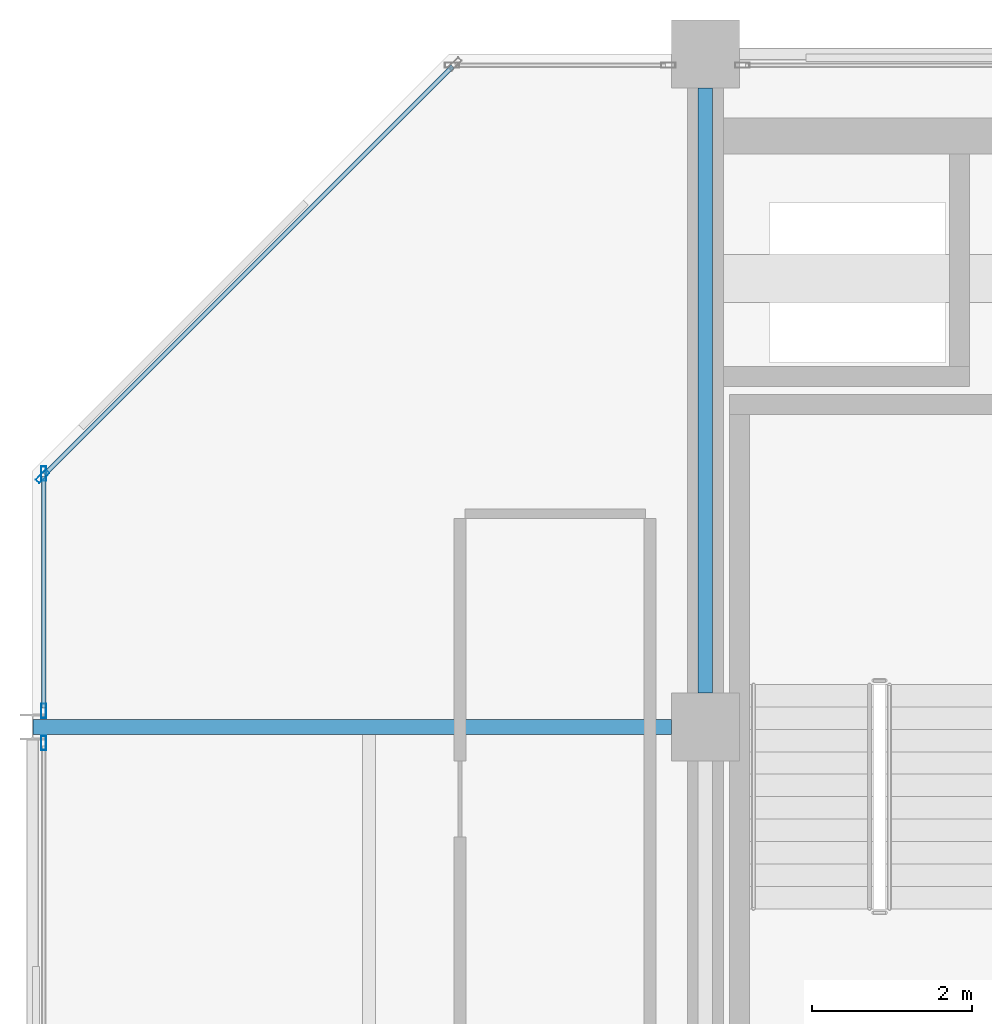
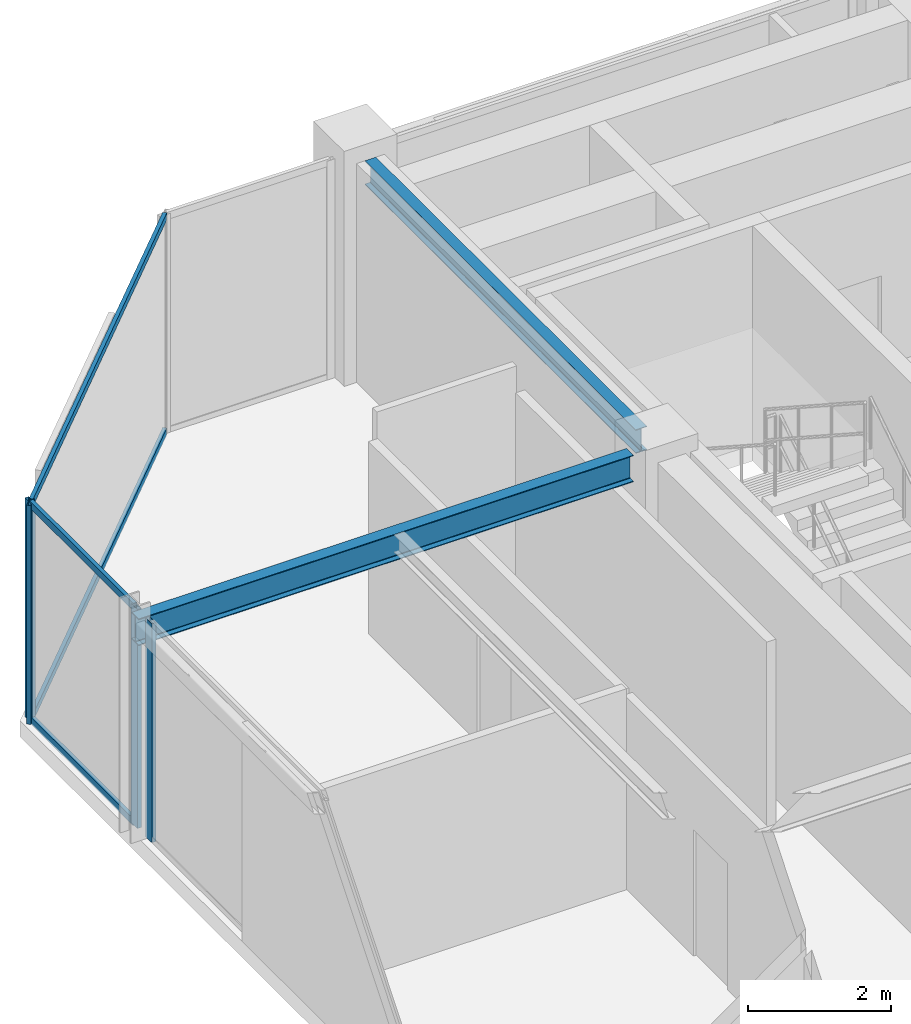
# One storey, part 16 of 24: 8 members, 2 beams, 3 elements without a shape of their own.
"""IFC4 building model written with IfcOpenShell, lengths in metres."""

import ifcopenshell
import ifcopenshell.guid

model = None  # the IFC model being written
_history = None  # IfcOwnerHistory: only IFC2X3 demands one
_inside = {}  # id of a spatial element -> (the spatial element, [elements in it])
_under = {}  # id of a project, library or spatial element -> (it, [spatial elements below it])
_declared = {}  # id of a project -> (the project, [libraries it declares])
_typed = {}  # id of a type object -> (the type object, [elements of that type])
_made_of = {}  # id of a material, layer set ... -> (it, [elements and type objects made of it])


def new_model(schema):
    """Start an empty IFC model of exactly this schema.

    Asked for "IFC4X3", IfcOpenShell would pick the latest addendum, in which some entities
    have other attributes; the version numbers below select the first issue.
    IFC2X3 requires an IfcOwnerHistory on every rooted entity: one is made here for all.
    """
    global model, _history
    if schema == "IFC4X3":
        model = ifcopenshell.file(schema_version=(4, 3, 0, 0))
    else:
        model = ifcopenshell.file(schema=schema)
    _inside.clear()
    _under.clear()
    _declared.clear()
    _typed.clear()
    _made_of.clear()
    _history = None
    if model.schema == "IFC2X3":
        org = make("IfcOrganization", Name="unknown")
        user = make(
            "IfcPersonAndOrganization",
            ThePerson=make("IfcPerson", FamilyName="unknown"),
            TheOrganization=org,
        )
        app = make(
            "IfcApplication",
            ApplicationDeveloper=org,
            Version="unknown",
            ApplicationFullName="unknown",
            ApplicationIdentifier="unknown",
        )
        _history = make(
            "IfcOwnerHistory",
            OwningUser=user,
            OwningApplication=app,
            ChangeAction="ADDED",
            CreationDate=0,
        )
    return model


def make(cls, **values):
    """One entity of the class cls with the attributes given. An attribute that is None is left unset."""
    return model.create_entity(
        cls, **{name: value for name, value in values.items() if value is not None}
    )


def rooted(cls, **values):
    """An entity with a GlobalId (a new one), such as an element, a storey or a relation."""
    return make(cls, GlobalId=ifcopenshell.guid.new(), OwnerHistory=_history, **values)


def si_unit(unit_type, name, prefix=None):
    """IfcSIUnit, for example si_unit("LENGTHUNIT", "METRE", prefix="MILLI")."""
    return make("IfcSIUnit", UnitType=unit_type, Prefix=prefix, Name=name)


def assignment(units):
    """IfcUnitAssignment: the units of a project."""
    return None if units is None else make("IfcUnitAssignment", Units=units)


def point(xyz):
    """IfcCartesianPoint."""
    return None if xyz is None else make("IfcCartesianPoint", Coordinates=xyz)


def direction(xyz):
    """IfcDirection."""
    return None if xyz is None else make("IfcDirection", DirectionRatios=xyz)


def frame(location, z_axis=None, x_axis=None):
    """IfcAxis2Placement3D, a coordinate frame: its origin and axes. An axis left out is left unset."""
    return make(
        "IfcAxis2Placement3D",
        Location=point(location),
        Axis=direction(z_axis),
        RefDirection=direction(x_axis),
    )


def frame_2d(location, x_axis=None):
    """IfcAxis2Placement2D, a coordinate frame in the plane: its origin and x axis."""
    return make(
        "IfcAxis2Placement2D", Location=point(location), RefDirection=direction(x_axis)
    )


def origin():
    """The frame at (0, 0, 0) with its axes left unset."""
    return frame((0.0, 0.0, 0.0))


def origin_2d():
    """The frame at (0, 0) in the plane with its x axis left unset."""
    return frame_2d((0.0, 0.0))


def place(relative_to, where):
    """IfcLocalPlacement: puts the frame where relative to a parent placement (None: the world)."""
    return make(
        "IfcLocalPlacement", PlacementRelTo=relative_to, RelativePlacement=where
    )


def context(
    kind, dimensions, precision=None, world=None, true_north=None, identifier=None
):
    """IfcGeometricRepresentationContext, for example the 3D "Model" context."""
    return make(
        "IfcGeometricRepresentationContext",
        ContextIdentifier=identifier,
        ContextType=kind,
        CoordinateSpaceDimension=dimensions,
        Precision=precision,
        WorldCoordinateSystem=world,
        TrueNorth=true_north,
    )


def subcontext(parent, identifier, kind, view, scale=None):
    """IfcGeometricRepresentationSubContext, for example "Body" below "Model"."""
    return make(
        "IfcGeometricRepresentationSubContext",
        ContextIdentifier=identifier,
        ContextType=kind,
        ParentContext=parent,
        TargetScale=scale,
        TargetView=view,
    )


def project(units=None, contexts=None):
    """IfcProject with its units and contexts."""
    return rooted(
        "IfcProject",
        Name="project",
        RepresentationContexts=contexts,
        UnitsInContext=assignment(units),
    )


def spatial(cls, under=None, at=None, **own):
    """A site, building, storey or space (cls), placed at a placement, below another one or the project."""
    s = rooted(cls, ObjectPlacement=at, **own)
    if under is not None:
        _under.setdefault(under.id(), (under, []))[1].append(s)
    return s


def profile(cls, at=None, kind="AREA", **sizes):
    """A parametric profile (cls). Its sizes go by their IFC names, for example OverallWidth=200.0."""
    return make(cls, ProfileType=kind, Position=at, **sizes)


def hollow_rectangle(**sizes):
    """IfcRectangleHollowProfileDef."""
    return profile("IfcRectangleHollowProfileDef", **sizes)


def i_section(**sizes):
    """IfcIShapeProfileDef."""
    return profile("IfcIShapeProfileDef", **sizes)


def extrude(swept, where, along, depth):
    """IfcExtrudedAreaSolid: the profile swept, set in the frame where, extruded along a direction by depth."""
    return make(
        "IfcExtrudedAreaSolid",
        SweptArea=swept,
        Position=where,
        ExtrudedDirection=direction(along),
        Depth=depth,
    )


def shape(context_of_items, identifier, shape_type, items):
    """IfcShapeRepresentation: the items that make up one representation, for example the "Body"."""
    return make(
        "IfcShapeRepresentation",
        ContextOfItems=context_of_items,
        RepresentationIdentifier=identifier,
        RepresentationType=shape_type,
        Items=items,
    )


def material(Name=None, Category=None):
    """IfcMaterial."""
    return make("IfcMaterial", Name=Name, Category=Category)


def layer(
    of_material, thickness, ventilated=None, Name=None, Category=None, Priority=None
):
    """IfcMaterialLayer: one layer of a wall or slab, of a material (None: an air gap)."""
    return make(
        "IfcMaterialLayer",
        Material=of_material,
        LayerThickness=thickness,
        IsVentilated=ventilated,
        Name=Name,
        Category=Category,
        Priority=Priority,
    )


def layer_set(layers, Name=None):
    """IfcMaterialLayerSet."""
    return make("IfcMaterialLayerSet", MaterialLayers=layers, LayerSetName=Name)


def material_profile(
    of_material, cross_section, Name=None, Category=None, Priority=None
):
    """IfcMaterialProfile: a cross section and its material."""
    return make(
        "IfcMaterialProfile",
        Name=Name,
        Material=of_material,
        Profile=cross_section,
        Priority=Priority,
        Category=Category,
    )


def profile_set(profiles, Name=None, composite=None):
    """IfcMaterialProfileSet."""
    return make(
        "IfcMaterialProfileSet",
        Name=Name,
        MaterialProfiles=profiles,
        CompositeProfile=composite,
    )


def made_of(thing, what):
    """Note that an element or type object is made of a material, layer set ...; save() writes the relation."""
    if what is not None:
        _made_of.setdefault(what.id(), (what, []))[1].append(thing)
    return thing


def type_object(cls, material=None, **own):
    """A type object (cls), such as IfcWallType, which elements share."""
    return made_of(rooted(cls, **own), material)


def element(
    cls,
    number,
    at=None,
    inside=None,
    cuts=None,
    type_object=None,
    material=None,
    context=None,
    identifier="Body",
    shape_type=None,
    held_by="IfcProductDefinitionShape",
    body=None,
    shapes=None,
    **own,
):
    """One element of the class cls, such as IfcWall. Its Tag is "e" and its number.

    at: its placement. inside: the storey or other place that contains it. cuts: it is an
    opening in that element (IfcRelVoidsElement). A single representation is given by context,
    identifier, shape_type and body (its items); several are given by shapes. held_by: the class
    of the entity that holds the representations. save() writes the other relations.
    """
    e = rooted(cls, Tag="e%d" % number, ObjectPlacement=at, **own)
    if body is not None:
        shapes = [shape(context, identifier, shape_type, body)]
    if shapes is not None:
        e.Representation = make(held_by, Representations=shapes)
    if inside is not None:
        _inside.setdefault(inside.id(), (inside, []))[1].append(e)
    if cuts is not None:
        rooted(
            "IfcRelVoidsElement", RelatingBuildingElement=cuts, RelatedOpeningElement=e
        )
    if type_object is not None:
        _typed.setdefault(type_object.id(), (type_object, []))[1].append(e)
    return made_of(e, material)


def aggregate(whole, parts):
    """IfcRelAggregates: a whole, such as a stair, and the parts it consists of."""
    return rooted("IfcRelAggregates", RelatingObject=whole, RelatedObjects=parts)


def save(model, path):
    """Write the relations noted so far, then the file.

    IfcRelAggregates (storeys below a building ...), IfcRelContainedInSpatialStructure (elements
    in a storey), IfcRelDefinesByType, IfcRelAssociatesMaterial and IfcRelDeclares: one each for
    every whole, place, type object, material and project.
    """
    for whole, parts in _under.values():
        aggregate(whole, parts)
    for where, things in _inside.values():
        rooted(
            "IfcRelContainedInSpatialStructure",
            RelatedElements=things,
            RelatingStructure=where,
        )
    for kind, things in _typed.values():
        rooted("IfcRelDefinesByType", RelatedObjects=things, RelatingType=kind)
    for what, things in _made_of.values():
        rooted("IfcRelAssociatesMaterial", RelatedObjects=things, RelatingMaterial=what)
    for by, libraries in _declared.values():
        rooted("IfcRelDeclares", RelatingContext=by, RelatedDefinitions=libraries)
    model.write(path)


model = new_model("IFC4")

# Units and contexts
model_context = context("Model", 3, precision=1e-05, world=origin(), true_north=direction((0.0, 1.0)))
body_context = subcontext(model_context, "Body", "Model", "MODEL_VIEW")
ifc_project = project(units=[si_unit("LENGTHUNIT", "METRE"), si_unit("AREAUNIT", "SQUARE_METRE"), si_unit("VOLUMEUNIT", "CUBIC_METRE"), si_unit("PLANEANGLEUNIT", "RADIAN"), si_unit("MASSUNIT", "GRAM", prefix="KILO")], contexts=[model_context])

# Site, building, storey
site_placement = place(None, origin())
site = spatial("IfcSite", under=ifc_project, at=site_placement, CompositionType="ELEMENT")
building_placement = place(site_placement, origin())
building = spatial("IfcBuilding", under=site, at=building_placement, Name="Nerrivon Quay Data Exchange", CompositionType="ELEMENT")
storey_placement = place(building_placement, frame((0.0, 0.0, 310.199951171875)))
storey = spatial("IfcBuildingStorey", under=building, at=storey_placement, Name="L74", CompositionType="ELEMENT", Elevation=310.199951171875)

# Beams
ifc_material_1 = material(Name="Steel Grade 350", Category="steel")
ifc_material_profile_1 = material_profile(ifc_material_1, i_section(OverallWidth=0.18994140625, OverallDepth=0.4541015625, WebThickness=0.008544921875, FlangeThickness=0.0126953125, FilletRadius=0.011474609375, at=origin_2d()), Name="460UB67.1")
ifc_profile_set_1 = profile_set([ifc_material_profile_1], Name="Steel Grade 350")
beam_type_1 = type_object("IfcBeamType", Name="BM-G6-460UB67", PredefinedType="BEAM", material=ifc_profile_set_1)
beam_1_placement = place(storey_placement, frame((0.0078125, 33.60009765625, 3.498046875), z_axis=(1.0, 0.0, 0.0), x_axis=(0.0, 1.0, 0.0)))
element("IfcBeam", 1, at=beam_1_placement, inside=storey, type_object=beam_type_1, Name="L74 EW Girder Y=33.6 (0.0..8.4)", PredefinedType="BEAM", context=body_context, shape_type="SweptSolid", body=[
    extrude(i_section(OverallWidth=0.18994140625, OverallDepth=0.4541015625, WebThickness=0.008544921875, FlangeThickness=0.0126953125, FilletRadius=0.011474609375, at=origin_2d()), origin(), (0.0, 0.0, 1.0), 7.96728515625),
])
ifc_material_profile_2 = material_profile(ifc_material_1, i_section(OverallWidth=0.177978515625, OverallDepth=0.406005859375, WebThickness=0.0078125, FlangeThickness=0.0126953125, FilletRadius=0.011474609375, at=origin_2d()), Name="410UB59.7")
ifc_profile_set_2 = profile_set([ifc_material_profile_2], Name="Steel Grade 350")
beam_type_2 = type_object("IfcBeamType", Name="BM-J1-410UB60", PredefinedType="JOIST", material=ifc_profile_set_2)
beam_2_placement = place(storey_placement, frame((8.39990234375, 34.02490234375, 3.52197265625), z_axis=(0.0, 1.0, 0.0), x_axis=(-1.0, 0.0, 0.0)))
element("IfcBeam", 2, at=beam_2_placement, inside=storey, type_object=beam_type_2, Name="L74 NS Girder X=8.4 (33.6..42.0)", PredefinedType="JOIST", context=body_context, shape_type="SweptSolid", body=[
    extrude(i_section(OverallWidth=0.177978515625, OverallDepth=0.406005859375, WebThickness=0.0078125, FlangeThickness=0.0126953125, FilletRadius=0.011474609375, at=origin_2d()), origin(), (0.0, 0.0, 1.0), 7.550048828125),
])

# Curtain wall, member
ifc_material_2 = material(Name="Anodised aluminium 6063-T6", Category="aluminium")
ifc_layer = layer(ifc_material_2, 0.195068359375)
ifc_layer_set = layer_set([ifc_layer], Name="Anodised aluminium 6063-T6")
curtain_wall_type = type_object("IfcCurtainWallType", Name="CW-SYS-06", PredefinedType="NOTDEFINED", material=ifc_layer_set)
curtain_wall_1_placement = place(storey_placement, origin())
curtain_wall_1 = element("IfcCurtainWall", 3, at=curtain_wall_1_placement, inside=storey, type_object=curtain_wall_type, Name="L74 Unitised Curtain Wall 11", PredefinedType="NOTDEFINED")
ifc_material_profile_3 = material_profile(ifc_material_2, hollow_rectangle(XDim=0.06494140625, YDim=0.179931640625, WallThickness=0.00341796875, at=origin_2d()), Name="ALU-MULL-180x65")
ifc_profile_set_3 = profile_set([ifc_material_profile_3], Name="Anodised aluminium 6063-T6")
member_type_1 = type_object("IfcMemberType", Name="CWM-180x65", PredefinedType="MULLION", material=ifc_profile_set_3)
member_1_placement = place(storey_placement, frame((0.139892578125, 33.39892578125, 0.0), z_axis=(0.0, 0.0, 1.0), x_axis=(-1.0, 0.0, 0.0)))
member_1 = element("IfcMember", 4, at=member_1_placement, type_object=member_type_1, Name="CW06 mullion 2", PredefinedType="MULLION", context=body_context, shape_type="SweptSolid", body=[
    extrude(hollow_rectangle(XDim=0.06494140625, YDim=0.179931640625, WallThickness=0.00341796875, at=origin_2d()), origin(), (0.0, 0.0, 1.0), 3.72509765625),
])
aggregate(curtain_wall_1, [member_1])

# Curtain wall, members
curtain_wall_2_placement = place(storey_placement, origin())
curtain_wall_2 = element("IfcCurtainWall", 5, at=curtain_wall_2_placement, inside=storey, type_object=curtain_wall_type, Name="L74 Unitised Curtain Wall 12", PredefinedType="NOTDEFINED")
member_2_placement = place(storey_placement, frame((0.139892578125, 33.801025390625, 0.0), z_axis=(0.0, 0.0, 1.0), x_axis=(-1.0, 0.0, 0.0)))
member_2 = element("IfcMember", 6, at=member_2_placement, type_object=member_type_1, Name="CW06 mullion 1", PredefinedType="MULLION", context=body_context, shape_type="SweptSolid", body=[
    extrude(hollow_rectangle(XDim=0.06494140625, YDim=0.179931640625, WallThickness=0.00341796875, at=origin_2d()), origin(), (0.0, 0.0, 1.0), 3.72509765625),
])
member_3_placement = place(storey_placement, frame((0.139892578125, 36.762451171875, 0.0), z_axis=(0.0, 0.0, 1.0), x_axis=(-1.0, 0.0, 0.0)))
member_3 = element("IfcMember", 7, at=member_3_placement, type_object=member_type_1, Name="CW06 mullion 2", PredefinedType="MULLION", context=body_context, shape_type="SweptSolid", body=[
    extrude(hollow_rectangle(XDim=0.06494140625, YDim=0.179931640625, WallThickness=0.00341796875, at=origin_2d()), origin(), (0.0, 0.0, 1.0), 3.72509765625),
])

# Curtain wall, member
curtain_wall_3_placement = place(storey_placement, origin())
curtain_wall_3 = element("IfcCurtainWall", 8, at=curtain_wall_3_placement, inside=storey, type_object=curtain_wall_type, Name="L74 Unitised Curtain Wall 13", PredefinedType="NOTDEFINED")
member_4_placement = place(storey_placement, frame((0.12548828125, 36.7275390625, 0.0), z_axis=(0.0, 0.0, 1.0), x_axis=(-0.707106781187, 0.707106781187, 0.0)))
member_4 = element("IfcMember", 9, at=member_4_placement, type_object=member_type_1, Name="CW06 mullion 1", PredefinedType="MULLION", context=body_context, shape_type="SweptSolid", body=[
    extrude(hollow_rectangle(XDim=0.06494140625, YDim=0.179931640625, WallThickness=0.00341796875, at=origin_2d()), origin(), (0.0, 0.0, 1.0), 3.72509765625),
])

# Member
ifc_material_profile_4 = material_profile(ifc_material_2, hollow_rectangle(XDim=0.06005859375, YDim=0.1201171875, WallThickness=0.003173828125, at=origin_2d()), Name="ALU-TRAN-120x60")
ifc_profile_set_4 = profile_set([ifc_material_profile_4], Name="Anodised aluminium 6063-T6")
member_type_2 = type_object("IfcMemberType", Name="CWT-120x60", PredefinedType="USERDEFINED", material=ifc_profile_set_4)
member_5_placement = place(storey_placement, frame((0.139892578125, 33.83837890625, 0.032470703125), z_axis=(0.0, 1.0, 0.0), x_axis=(-1.0, 0.0, 0.0)))
member_5 = element("IfcMember", 10, at=member_5_placement, type_object=member_type_2, Name="CW06 transom 1.1", ObjectType="TRANSOM", PredefinedType="USERDEFINED", context=body_context, shape_type="SweptSolid", body=[
    extrude(hollow_rectangle(XDim=0.06005859375, YDim=0.1201171875, WallThickness=0.003173828125, at=origin_2d()), origin(), (0.0, 0.0, 1.0), 2.88671875),
])

member_6_placement = place(storey_placement, frame((0.139892578125, 33.83837890625, 3.692626953125), z_axis=(0.0, 1.0, 0.0), x_axis=(-1.0, 0.0, 0.0)))
member_6 = element("IfcMember", 11, at=member_6_placement, type_object=member_type_2, Name="CW06 transom 1.2", ObjectType="TRANSOM", PredefinedType="USERDEFINED", context=body_context, shape_type="SweptSolid", body=[
    extrude(hollow_rectangle(XDim=0.06005859375, YDim=0.1201171875, WallThickness=0.003173828125, at=origin_2d()), origin(), (0.0, 0.0, 1.0), 2.88671875),
])

aggregate(curtain_wall_2, [member_2, member_3, member_5, member_6])

member_7_placement = place(storey_placement, frame((0.152099609375, 36.754150390625, 0.032470703125), z_axis=(0.707106781187, 0.707106781187, 0.0), x_axis=(-0.707106781187, 0.707106781187, 0.0)))
member_7 = element("IfcMember", 12, at=member_7_placement, type_object=member_type_2, Name="CW06 transom 1.1", ObjectType="TRANSOM", PredefinedType="USERDEFINED", context=body_context, shape_type="SweptSolid", body=[
    extrude(hollow_rectangle(XDim=0.06005859375, YDim=0.1201171875, WallThickness=0.003173828125, at=origin_2d()), origin(), (0.0, 0.0, 1.0), 7.20361328125),
])

member_8_placement = place(storey_placement, frame((0.152099609375, 36.754150390625, 3.692626953125), z_axis=(0.707106781187, 0.707106781187, 0.0), x_axis=(-0.707106781187, 0.707106781187, 0.0)))
member_8 = element("IfcMember", 13, at=member_8_placement, type_object=member_type_2, Name="CW06 transom 1.2", ObjectType="TRANSOM", PredefinedType="USERDEFINED", context=body_context, shape_type="SweptSolid", body=[
    extrude(hollow_rectangle(XDim=0.06005859375, YDim=0.1201171875, WallThickness=0.003173828125, at=origin_2d()), origin(), (0.0, 0.0, 1.0), 7.20361328125),
])

aggregate(curtain_wall_3, [member_4, member_7, member_8])

save(model, "model.ifc")
